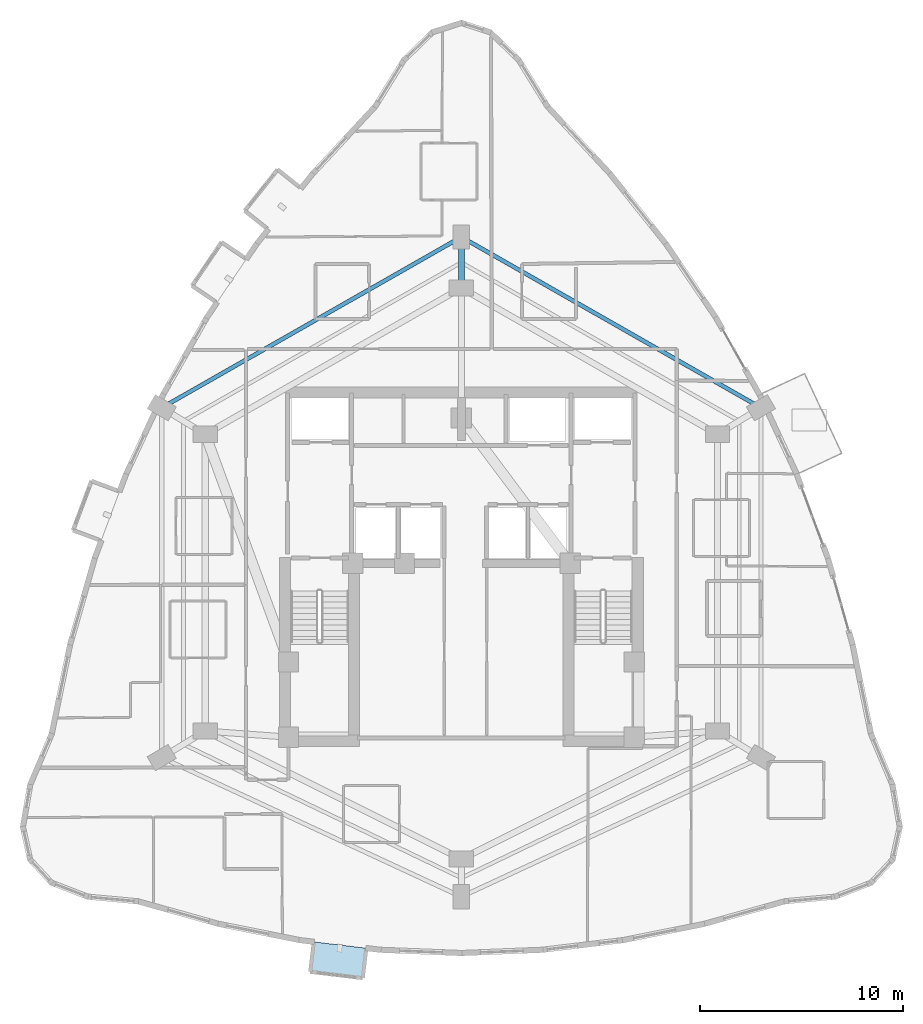
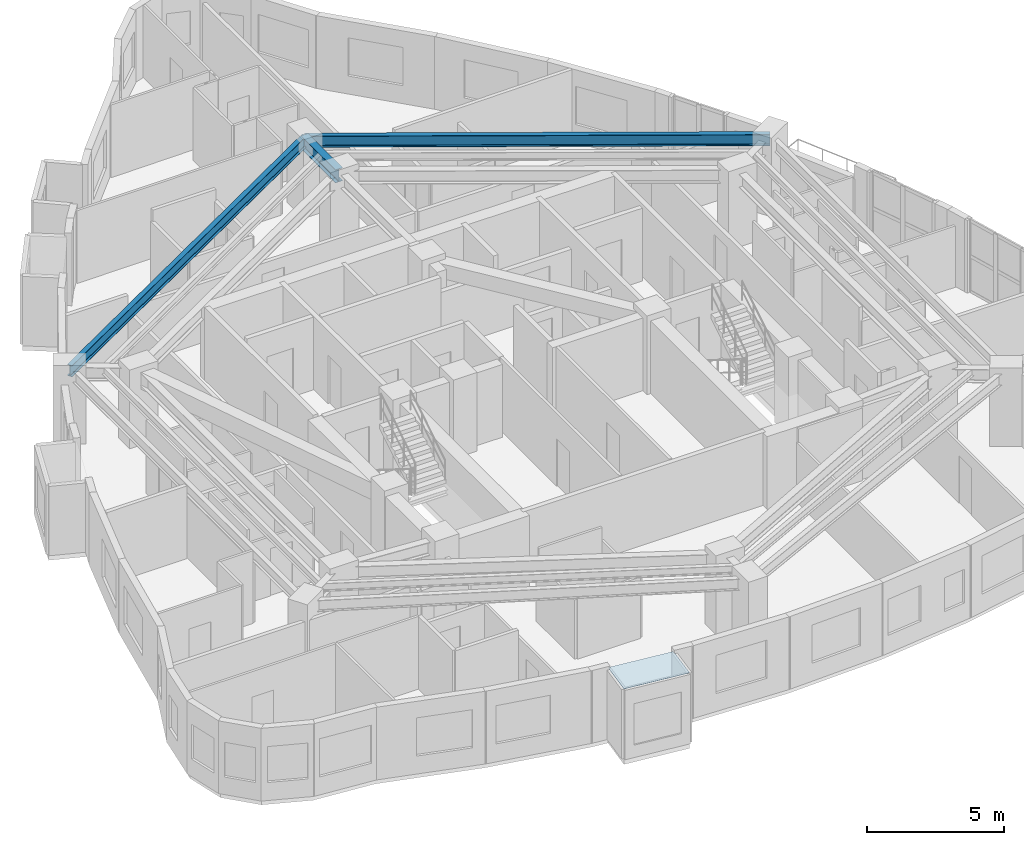
# One storey, part 3 of 14: 3 beams, 1 plate.
"""IFC4 building model written with IfcOpenShell, lengths in metres."""

from ifc_helpers import new_model, si_unit, direction, frame, origin, origin_2d, place, context, subcontext, project, spatial, polyline, i_section, outline, extrude, material, layer, layer_set, material_profile, profile_set, type_object, element, save


model = new_model("IFC4")

# Units and contexts
model_context = context("Model", 3, precision=1e-05, world=origin(), true_north=direction((0.0, 1.0)))
body_context = subcontext(model_context, "Body", "Model", "MODEL_VIEW")
ifc_project = project(units=[si_unit("LENGTHUNIT", "METRE"), si_unit("AREAUNIT", "SQUARE_METRE"), si_unit("VOLUMEUNIT", "CUBIC_METRE"), si_unit("PLANEANGLEUNIT", "RADIAN"), si_unit("MASSUNIT", "GRAM", prefix="KILO")], contexts=[model_context])

# Site, building, storey
site_placement = place(None, origin())
site = spatial("IfcSite", under=ifc_project, at=site_placement, CompositionType="ELEMENT")
building_placement = place(site_placement, origin())
building = spatial("IfcBuilding", under=site, at=building_placement, Name="Miruveldt Soraemaru", CompositionType="ELEMENT")
storey_placement = place(building_placement, frame((0.0, 0.0, 142.39990234375)))
storey = spatial("IfcBuildingStorey", under=building, at=storey_placement, Name="L39", CompositionType="ELEMENT", Elevation=142.39990234375)

# Beams
ifc_material_1 = material(Name="Steel SM355 (355 MPa)", Category="steel")
ifc_material_profile_1 = material_profile(ifc_material_1, i_section(OverallWidth=0.199951171875, OverallDepth=0.5, WebThickness=0.010009765625, FlangeThickness=0.01611328125, FilletRadius=0.02001953125, at=origin_2d()), Name="Steel SM355 (355 MPa)", Category="steel")
ifc_profile_set_1 = profile_set([ifc_material_profile_1], Name="Steel SM355 (355 MPa)")
beam_type_1 = type_object("IfcBeamType", Name="BM-ST-H500", PredefinedType="SPANDREL", material=ifc_profile_set_1)
for number, where, z_axis, x_axis, name in (
    (1, (44.0, 60.10595703125, 2.985107421875), (0.86880048516, -0.495162313778, 0.0), (0.495162313778, 0.86880048516, 0.0), "L39 Zone-2 Spandrel Beam 1"),
    (2, (29.260009765625, 51.705078125, 2.985107421875), (0.86880048516, 0.495162313778, 0.0), (-0.495162313778, 0.86880048516, 0.0), "L39 Zone-2 Spandrel Beam 6"),
):
    element("IfcBeam", number, at=place(storey_placement, frame(where, z_axis=z_axis, x_axis=x_axis)), inside=storey, type_object=beam_type_1, Name=name, PredefinedType="SPANDREL", context=body_context, shape_type="SweptSolid", body=[
        extrude(i_section(OverallWidth=0.199951171875, OverallDepth=0.5, WebThickness=0.010009765625, FlangeThickness=0.01611328125, FilletRadius=0.02001953125, at=origin_2d()), origin(), (0.0, 0.0, 1.0), 16.9658203125),
    ])
ifc_material_profile_2 = material_profile(ifc_material_1, i_section(OverallWidth=0.300048828125, OverallDepth=0.587890625, WebThickness=0.011962890625, FlangeThickness=0.02001953125, FilletRadius=0.028076171875, at=origin_2d()), Name="Steel SM355 (355 MPa)", Category="steel")
ifc_profile_set_2 = profile_set([ifc_material_profile_2], Name="Steel SM355 (355 MPa)")
beam_type_2 = type_object("IfcBeamType", Name="BM-ST-H588", PredefinedType="BEAM", material=ifc_profile_set_2)
beam_placement = place(storey_placement, frame((44.0, 57.60009765625, 2.941162109375), z_axis=(0.0, 1.0, 0.0), x_axis=(-1.0, 0.0, 0.0)))
element("IfcBeam", 3, at=beam_placement, inside=storey, type_object=beam_type_2, Name="L39 Zone-2 Radial Girder 1", PredefinedType="BEAM", context=body_context, shape_type="SweptSolid", body=[
    extrude(i_section(OverallWidth=0.300048828125, OverallDepth=0.587890625, WebThickness=0.011962890625, FlangeThickness=0.02001953125, FilletRadius=0.028076171875, at=origin_2d()), origin(), (0.0, 0.0, 1.0), 2.505859375),
])

# Plate
ifc_material_2 = material(Name="Standing-seam titanium-zinc sheet", Category="aluminium")
ifc_layer = layer(ifc_material_2, 0.011962890625, Name="Standing-seam titanium-zinc sheet", Category="aluminium")
ifc_layer_set = layer_set([ifc_layer], Name="Standing-seam titanium-zinc sheet")
plate_type = type_object("IfcPlateType", Name="PLT-ZINC-12", PredefinedType="SHEET", material=ifc_layer_set)
plate_placement = place(storey_placement, frame((0.0, 0.0, 3.085205078125)))
element("IfcPlate", 4, at=plate_placement, inside=storey, type_object=plate_type, Name="L39 Bay Window Zinc Hood Sheet 2", PredefinedType="SHEET", context=body_context, shape_type="SweptSolid", body=[
    extrude(outline(polyline([(36.7421875, 25.42529296875), (39.323486328125, 25.115478515625), (39.147216796875, 23.64599609375), (36.56591796875, 23.955810546875), (36.7421875, 25.42529296875)])), origin(), (0.0, 0.0, 1.0), 0.011962890625),
])

save(model, "model.ifc")
